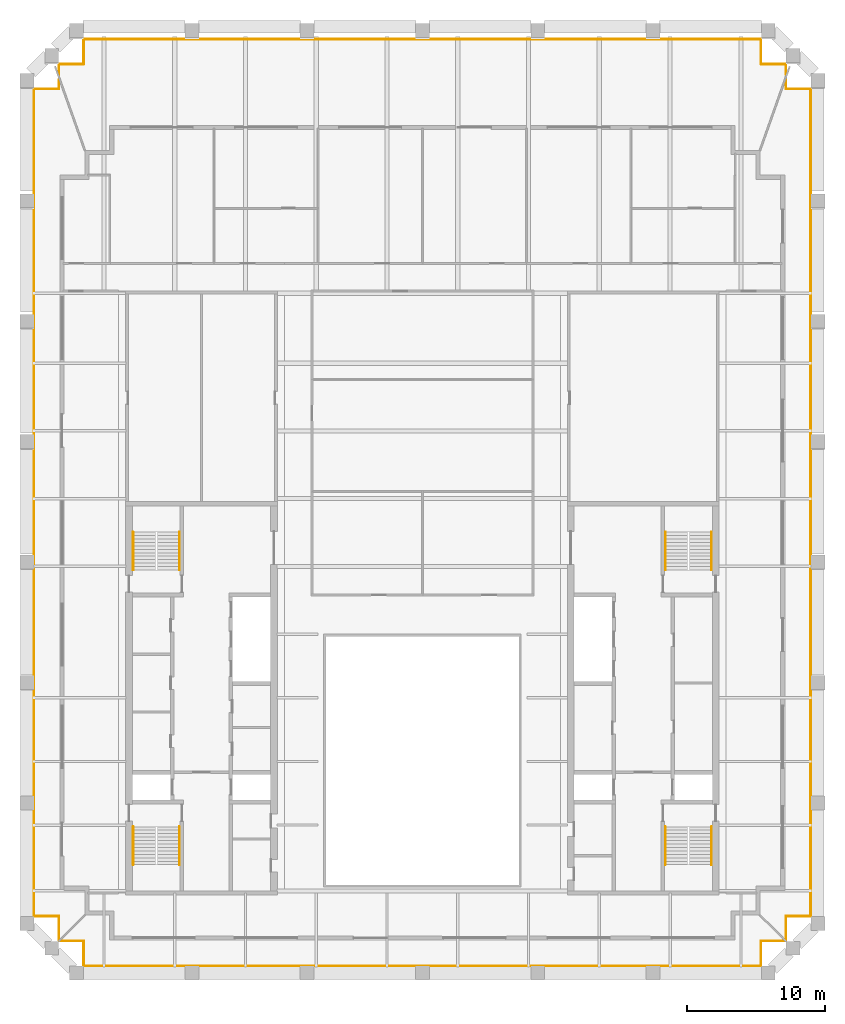
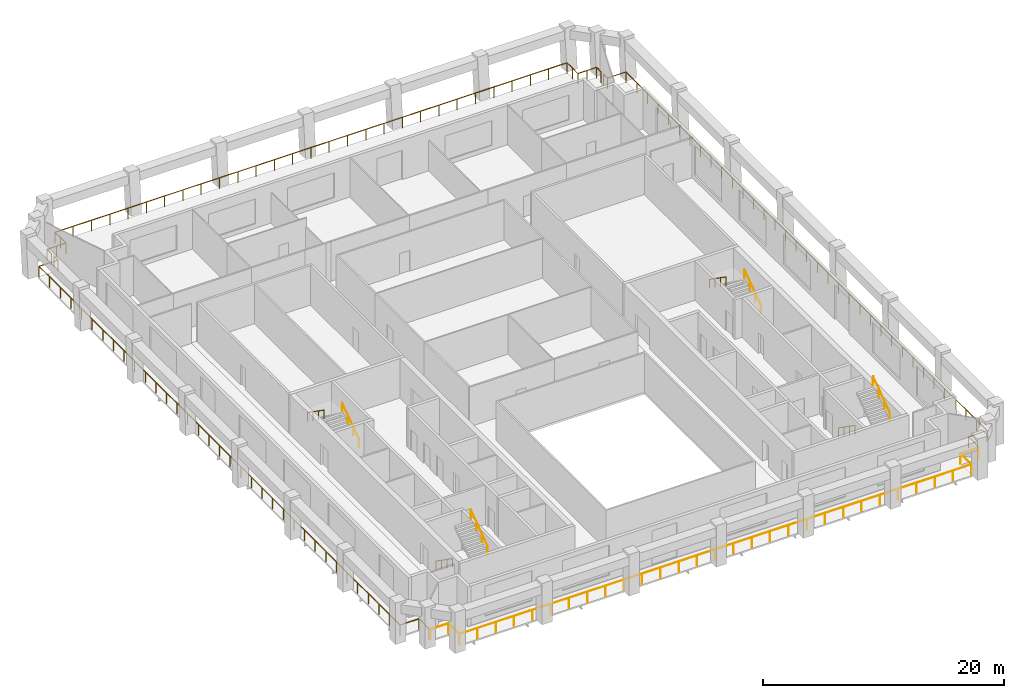
# One storey, part 8 of 8: 12 railings.
"""IFC4 building model written with IfcOpenShell, lengths in metres."""

from ifc_helpers import new_model, si_unit, direction, frame, origin, origin_2d, place, context, subcontext, project, spatial, circle, extrude, material, type_object, element, save


model = new_model("IFC4")

# Units and contexts
model_context = context("Model", 3, precision=1e-05, world=origin(), true_north=direction((0.0, 1.0)))
body_context = subcontext(model_context, "Body", "Model", "MODEL_VIEW")
ifc_project = project(units=[si_unit("LENGTHUNIT", "METRE"), si_unit("AREAUNIT", "SQUARE_METRE"), si_unit("VOLUMEUNIT", "CUBIC_METRE"), si_unit("PLANEANGLEUNIT", "RADIAN"), si_unit("MASSUNIT", "GRAM", prefix="KILO")], contexts=[model_context])

# Site, building, storey
site_placement = place(None, origin())
site = spatial("IfcSite", under=ifc_project, at=site_placement, CompositionType="ELEMENT")
building_placement = place(site_placement, origin())
building = spatial("IfcBuilding", under=site, at=building_placement, Name="Ogive Exchange Tower", CompositionType="ELEMENT")
storey_placement = place(building_placement, frame((0.0, 0.0, 351.0)))
storey = spatial("IfcBuildingStorey", under=building, at=storey_placement, Name="L77", CompositionType="ELEMENT", Elevation=351.0)

# Railings
ifc_material_1 = material(Name="Stainless steel 316", Category="steel")
railing_type_1 = type_object("IfcRailingType", Name="Guard 1100 stainless steel and glass", PredefinedType="GUARDRAIL", material=ifc_material_1)
railing_1_placement = place(storey_placement, frame((26.238037109375, -6.080078125, -0.050048828125)))
element("IfcRailing", 1, at=railing_1_placement, inside=storey, type_object=railing_type_1, Name="Loggia guard 1", PredefinedType="GUARDRAIL", context=body_context, shape_type="SweptSolid", body=[
    extrude(circle(Radius=0.02392578125, at=origin_2d()), frame((0.0, 0.0, 1.076171875), z_axis=(-1.0, 0.0, 0.0), x_axis=(0.0, -1.0, 0.0)), (0.0, 0.0, 1.0), 1.7080078125),
    extrude(circle(Radius=0.02392578125, at=origin_2d()), frame((-1.7080078125, 0.0, 1.076171875), z_axis=(0.0, -1.0, 0.0), x_axis=(1.0, 0.0, 0.0)), (0.0, 0.0, 1.0), 1.7998046875),
    extrude(circle(Radius=0.02392578125, at=origin_2d()), frame((-1.7080078125, -1.7998046875, 1.076171875), z_axis=(-1.0, 0.0, 0.0), x_axis=(0.0, -1.0, 0.0)), (0.0, 0.0, 1.0), 49.06005859375),
    extrude(circle(Radius=0.02392578125, at=origin_2d()), frame((-50.76806640625, -1.7998046875, 1.076171875), z_axis=(0.0, 1.0, 0.0), x_axis=(-1.0, 0.0, 0.0)), (0.0, 0.0, 1.0), 1.7998046875),
    extrude(circle(Radius=0.02392578125, at=origin_2d()), frame((-50.76806640625, 0.0, 1.076171875), z_axis=(-1.0, 0.0, 0.0), x_axis=(0.0, -1.0, 0.0)), (0.0, 0.0, 1.0), 1.7080078125),
    extrude(circle(Radius=0.02099609375, at=origin_2d()), origin(), (0.0, 0.0, 1.0), 1.052001953125),
    extrude(circle(Radius=0.02099609375, at=origin_2d()), frame((-1.7080078125, 0.0, 0.0)), (0.0, 0.0, 1.0), 1.052001953125),
    extrude(circle(Radius=0.02099609375, at=origin_2d()), frame((-1.7080078125, -1.7998046875, 0.0)), (0.0, 0.0, 1.0), 1.052001953125),
    extrude(circle(Radius=0.02099609375, at=origin_2d()), frame((-3.460205078125, -1.7998046875, 0.0)), (0.0, 0.0, 1.0), 1.052001953125),
    extrude(circle(Radius=0.02099609375, at=origin_2d()), frame((-5.21240234375, -1.7998046875, 0.0)), (0.0, 0.0, 1.0), 1.052001953125),
    extrude(circle(Radius=0.02099609375, at=origin_2d()), frame((-6.96435546875, -1.7998046875, 0.0)), (0.0, 0.0, 1.0), 1.052001953125),
    extrude(circle(Radius=0.02099609375, at=origin_2d()), frame((-8.716552734375, -1.7998046875, 0.0)), (0.0, 0.0, 1.0), 1.052001953125),
    extrude(circle(Radius=0.02099609375, at=origin_2d()), frame((-10.46875, -1.7998046875, 0.0)), (0.0, 0.0, 1.0), 1.052001953125),
    extrude(circle(Radius=0.02099609375, at=origin_2d()), frame((-12.220947265625, -1.7998046875, 0.0)), (0.0, 0.0, 1.0), 1.052001953125),
    extrude(circle(Radius=0.02099609375, at=origin_2d()), frame((-13.97314453125, -1.7998046875, 0.0)), (0.0, 0.0, 1.0), 1.052001953125),
    extrude(circle(Radius=0.02099609375, at=origin_2d()), frame((-15.72509765625, -1.7998046875, 0.0)), (0.0, 0.0, 1.0), 1.052001953125),
    extrude(circle(Radius=0.02099609375, at=origin_2d()), frame((-17.477294921875, -1.7998046875, 0.0)), (0.0, 0.0, 1.0), 1.052001953125),
    extrude(circle(Radius=0.02099609375, at=origin_2d()), frame((-19.2294921875, -1.7998046875, 0.0)), (0.0, 0.0, 1.0), 1.052001953125),
    extrude(circle(Radius=0.02099609375, at=origin_2d()), frame((-20.981689453125, -1.7998046875, 0.0)), (0.0, 0.0, 1.0), 1.052001953125),
    extrude(circle(Radius=0.02099609375, at=origin_2d()), frame((-22.733642578125, -1.7998046875, 0.0)), (0.0, 0.0, 1.0), 1.052001953125),
    extrude(circle(Radius=0.02099609375, at=origin_2d()), frame((-24.48583984375, -1.7998046875, 0.0)), (0.0, 0.0, 1.0), 1.052001953125),
    extrude(circle(Radius=0.02099609375, at=origin_2d()), frame((-26.238037109375, -1.7998046875, 0.0)), (0.0, 0.0, 1.0), 1.052001953125),
    extrude(circle(Radius=0.02099609375, at=origin_2d()), frame((-27.990234375, -1.7998046875, 0.0)), (0.0, 0.0, 1.0), 1.052001953125),
    extrude(circle(Radius=0.02099609375, at=origin_2d()), frame((-29.742431640625, -1.7998046875, 0.0)), (0.0, 0.0, 1.0), 1.052001953125),
    extrude(circle(Radius=0.02099609375, at=origin_2d()), frame((-31.494384765625, -1.7998046875, 0.0)), (0.0, 0.0, 1.0), 1.052001953125),
    extrude(circle(Radius=0.02099609375, at=origin_2d()), frame((-33.24658203125, -1.7998046875, 0.0)), (0.0, 0.0, 1.0), 1.052001953125),
    extrude(circle(Radius=0.02099609375, at=origin_2d()), frame((-34.998779296875, -1.7998046875, 0.0)), (0.0, 0.0, 1.0), 1.052001953125),
    extrude(circle(Radius=0.02099609375, at=origin_2d()), frame((-36.7509765625, -1.7998046875, 0.0)), (0.0, 0.0, 1.0), 1.052001953125),
    extrude(circle(Radius=0.02099609375, at=origin_2d()), frame((-38.5029296875, -1.7998046875, 0.0)), (0.0, 0.0, 1.0), 1.052001953125),
    extrude(circle(Radius=0.02099609375, at=origin_2d()), frame((-40.255126953125, -1.7998046875, 0.0)), (0.0, 0.0, 1.0), 1.052001953125),
    extrude(circle(Radius=0.02099609375, at=origin_2d()), frame((-42.00732421875, -1.7998046875, 0.0)), (0.0, 0.0, 1.0), 1.052001953125),
    extrude(circle(Radius=0.02099609375, at=origin_2d()), frame((-43.759521484375, -1.7998046875, 0.0)), (0.0, 0.0, 1.0), 1.052001953125),
    extrude(circle(Radius=0.02099609375, at=origin_2d()), frame((-45.51171875, -1.7998046875, 0.0)), (0.0, 0.0, 1.0), 1.052001953125),
    extrude(circle(Radius=0.02099609375, at=origin_2d()), frame((-47.263671875, -1.7998046875, 0.0)), (0.0, 0.0, 1.0), 1.052001953125),
    extrude(circle(Radius=0.02099609375, at=origin_2d()), frame((-49.015869140625, -1.7998046875, 0.0)), (0.0, 0.0, 1.0), 1.052001953125),
    extrude(circle(Radius=0.02099609375, at=origin_2d()), frame((-50.76806640625, -1.7998046875, 0.0)), (0.0, 0.0, 1.0), 1.052001953125),
    extrude(circle(Radius=0.02099609375, at=origin_2d()), frame((-50.76806640625, 0.0, 0.0)), (0.0, 0.0, 1.0), 1.052001953125),
    extrude(circle(Radius=0.02099609375, at=origin_2d()), frame((-52.47607421875, 0.0, 0.0)), (0.0, 0.0, 1.0), 1.052001953125),
])
railing_2_placement = place(storey_placement, frame((-26.330078125, -5.988037109375, -0.050048828125)))
element("IfcRailing", 2, at=railing_2_placement, inside=storey, type_object=railing_type_1, Name="Loggia guard 2", PredefinedType="GUARDRAIL", context=body_context, shape_type="SweptSolid", body=[
    extrude(circle(Radius=0.02392578125, at=origin_2d()), frame((0.0, 0.0, 1.076171875), z_axis=(0.0, 1.0, 0.0), x_axis=(-1.0, 0.0, 0.0)), (0.0, 0.0, 1.0), 1.7080078125),
    extrude(circle(Radius=0.02392578125, at=origin_2d()), frame((0.0, 1.7080078125, 1.076171875), z_axis=(-1.0, 0.0, 0.0), x_axis=(0.0, -1.0, 0.0)), (0.0, 0.0, 1.0), 1.7998046875),
    extrude(circle(Radius=0.02392578125, at=origin_2d()), frame((-1.7998046875, 1.7080078125, 1.076171875), z_axis=(0.0, 1.0, 0.0), x_axis=(-1.0, 0.0, 0.0)), (0.0, 0.0, 1.0), 59.923583984375),
    extrude(circle(Radius=0.02392578125, at=origin_2d()), frame((-1.7998046875, 61.631591796875, 1.076171875), z_axis=(1.0, 0.0, 0.0), x_axis=(0.0, 1.0, 0.0)), (0.0, 0.0, 1.0), 1.7998046875),
    extrude(circle(Radius=0.02392578125, at=origin_2d()), frame((0.0, 61.631591796875, 1.076171875), z_axis=(0.0, 1.0, 0.0), x_axis=(-1.0, 0.0, 0.0)), (0.0, 0.0, 1.0), 0.66015625),
    extrude(circle(Radius=0.02099609375, at=origin_2d()), origin(), (0.0, 0.0, 1.0), 1.052001953125),
    extrude(circle(Radius=0.02099609375, at=origin_2d()), frame((0.0, 1.7080078125, 0.0)), (0.0, 0.0, 1.0), 1.052001953125),
    extrude(circle(Radius=0.02099609375, at=origin_2d()), frame((-1.7998046875, 1.7080078125, 0.0)), (0.0, 0.0, 1.0), 1.052001953125),
    extrude(circle(Radius=0.02099609375, at=origin_2d()), frame((-1.7998046875, 3.470458984375, 0.0)), (0.0, 0.0, 1.0), 1.052001953125),
    extrude(circle(Radius=0.02099609375, at=origin_2d()), frame((-1.7998046875, 5.23291015625, 0.0)), (0.0, 0.0, 1.0), 1.052001953125),
    extrude(circle(Radius=0.02099609375, at=origin_2d()), frame((-1.7998046875, 6.995361328125, 0.0)), (0.0, 0.0, 1.0), 1.052001953125),
    extrude(circle(Radius=0.02099609375, at=origin_2d()), frame((-1.7998046875, 8.7578125, 0.0)), (0.0, 0.0, 1.0), 1.052001953125),
    extrude(circle(Radius=0.02099609375, at=origin_2d()), frame((-1.7998046875, 10.520263671875, 0.0)), (0.0, 0.0, 1.0), 1.052001953125),
    extrude(circle(Radius=0.02099609375, at=origin_2d()), frame((-1.7998046875, 12.28271484375, 0.0)), (0.0, 0.0, 1.0), 1.052001953125),
    extrude(circle(Radius=0.02099609375, at=origin_2d()), frame((-1.7998046875, 14.045166015625, 0.0)), (0.0, 0.0, 1.0), 1.052001953125),
    extrude(circle(Radius=0.02099609375, at=origin_2d()), frame((-1.7998046875, 15.8076171875, 0.0)), (0.0, 0.0, 1.0), 1.052001953125),
    extrude(circle(Radius=0.02099609375, at=origin_2d()), frame((-1.7998046875, 17.570068359375, 0.0)), (0.0, 0.0, 1.0), 1.052001953125),
    extrude(circle(Radius=0.02099609375, at=origin_2d()), frame((-1.7998046875, 19.33251953125, 0.0)), (0.0, 0.0, 1.0), 1.052001953125),
    extrude(circle(Radius=0.02099609375, at=origin_2d()), frame((-1.7998046875, 21.094970703125, 0.0)), (0.0, 0.0, 1.0), 1.052001953125),
    extrude(circle(Radius=0.02099609375, at=origin_2d()), frame((-1.7998046875, 22.857421875, 0.0)), (0.0, 0.0, 1.0), 1.052001953125),
    extrude(circle(Radius=0.02099609375, at=origin_2d()), frame((-1.7998046875, 24.619873046875, 0.0)), (0.0, 0.0, 1.0), 1.052001953125),
    extrude(circle(Radius=0.02099609375, at=origin_2d()), frame((-1.7998046875, 26.38232421875, 0.0)), (0.0, 0.0, 1.0), 1.052001953125),
    extrude(circle(Radius=0.02099609375, at=origin_2d()), frame((-1.7998046875, 28.144775390625, 0.0)), (0.0, 0.0, 1.0), 1.052001953125),
    extrude(circle(Radius=0.02099609375, at=origin_2d()), frame((-1.7998046875, 29.9072265625, 0.0)), (0.0, 0.0, 1.0), 1.052001953125),
    extrude(circle(Radius=0.02099609375, at=origin_2d()), frame((-1.7998046875, 31.669921875, 0.0)), (0.0, 0.0, 1.0), 1.052001953125),
    extrude(circle(Radius=0.02099609375, at=origin_2d()), frame((-1.7998046875, 33.432373046875, 0.0)), (0.0, 0.0, 1.0), 1.052001953125),
    extrude(circle(Radius=0.02099609375, at=origin_2d()), frame((-1.7998046875, 35.19482421875, 0.0)), (0.0, 0.0, 1.0), 1.052001953125),
    extrude(circle(Radius=0.02099609375, at=origin_2d()), frame((-1.7998046875, 36.957275390625, 0.0)), (0.0, 0.0, 1.0), 1.052001953125),
    extrude(circle(Radius=0.02099609375, at=origin_2d()), frame((-1.7998046875, 38.7197265625, 0.0)), (0.0, 0.0, 1.0), 1.052001953125),
    extrude(circle(Radius=0.02099609375, at=origin_2d()), frame((-1.7998046875, 40.482177734375, 0.0)), (0.0, 0.0, 1.0), 1.052001953125),
    extrude(circle(Radius=0.02099609375, at=origin_2d()), frame((-1.7998046875, 42.24462890625, 0.0)), (0.0, 0.0, 1.0), 1.052001953125),
    extrude(circle(Radius=0.02099609375, at=origin_2d()), frame((-1.7998046875, 44.007080078125, 0.0)), (0.0, 0.0, 1.0), 1.052001953125),
    extrude(circle(Radius=0.02099609375, at=origin_2d()), frame((-1.7998046875, 45.76953125, 0.0)), (0.0, 0.0, 1.0), 1.052001953125),
    extrude(circle(Radius=0.02099609375, at=origin_2d()), frame((-1.7998046875, 47.531982421875, 0.0)), (0.0, 0.0, 1.0), 1.052001953125),
    extrude(circle(Radius=0.02099609375, at=origin_2d()), frame((-1.7998046875, 49.29443359375, 0.0)), (0.0, 0.0, 1.0), 1.052001953125),
    extrude(circle(Radius=0.02099609375, at=origin_2d()), frame((-1.7998046875, 51.056884765625, 0.0)), (0.0, 0.0, 1.0), 1.052001953125),
    extrude(circle(Radius=0.02099609375, at=origin_2d()), frame((-1.7998046875, 52.8193359375, 0.0)), (0.0, 0.0, 1.0), 1.052001953125),
    extrude(circle(Radius=0.02099609375, at=origin_2d()), frame((-1.7998046875, 54.581787109375, 0.0)), (0.0, 0.0, 1.0), 1.052001953125),
    extrude(circle(Radius=0.02099609375, at=origin_2d()), frame((-1.7998046875, 56.34423828125, 0.0)), (0.0, 0.0, 1.0), 1.052001953125),
    extrude(circle(Radius=0.02099609375, at=origin_2d()), frame((-1.7998046875, 58.106689453125, 0.0)), (0.0, 0.0, 1.0), 1.052001953125),
    extrude(circle(Radius=0.02099609375, at=origin_2d()), frame((-1.7998046875, 59.869140625, 0.0)), (0.0, 0.0, 1.0), 1.052001953125),
    extrude(circle(Radius=0.02099609375, at=origin_2d()), frame((-1.7998046875, 61.631591796875, 0.0)), (0.0, 0.0, 1.0), 1.052001953125),
    extrude(circle(Radius=0.02099609375, at=origin_2d()), frame((0.0, 61.631591796875, 0.0)), (0.0, 0.0, 1.0), 1.052001953125),
    extrude(circle(Radius=0.02099609375, at=origin_2d()), frame((0.0, 62.291748046875, 0.0)), (0.0, 0.0, 1.0), 1.052001953125),
])
railing_3_placement = place(storey_placement, frame((-26.330078125, 56.692626953125, -0.050048828125)))
element("IfcRailing", 3, at=railing_3_placement, inside=storey, type_object=railing_type_1, Name="Loggia guard 3", PredefinedType="GUARDRAIL", context=body_context, shape_type="SweptSolid", body=[
    extrude(circle(Radius=0.02392578125, at=origin_2d()), frame((0.0, 0.0, 1.076171875), z_axis=(0.0, 1.0, 0.0), x_axis=(-1.0, 0.0, 0.0)), (0.0, 0.0, 1.0), 0.7509765625),
    extrude(circle(Radius=0.02392578125, at=origin_2d()), frame((0.0, 0.7509765625, 1.076171875), z_axis=(1.0, 0.0, 0.0), x_axis=(0.0, 1.0, 0.0)), (0.0, 0.0, 1.0), 1.800048828125),
    extrude(circle(Radius=0.02392578125, at=origin_2d()), frame((1.800048828125, 0.7509765625, 1.076171875), z_axis=(0.0, 1.0, 0.0), x_axis=(-1.0, 0.0, 0.0)), (0.0, 0.0, 1.0), 1.800048828125),
    extrude(circle(Radius=0.02392578125, at=origin_2d()), frame((1.800048828125, 2.551025390625, 1.076171875), z_axis=(1.0, 0.0, 0.0), x_axis=(0.0, 1.0, 0.0)), (0.0, 0.0, 1.0), 49.06005859375),
    extrude(circle(Radius=0.02392578125, at=origin_2d()), frame((50.860107421875, 2.551025390625, 1.076171875), z_axis=(0.0, -1.0, 0.0), x_axis=(1.0, 0.0, 0.0)), (0.0, 0.0, 1.0), 1.800048828125),
    extrude(circle(Radius=0.02392578125, at=origin_2d()), frame((50.860107421875, 0.7509765625, 1.076171875), z_axis=(1.0, 0.0, 0.0), x_axis=(0.0, 1.0, 0.0)), (0.0, 0.0, 1.0), 1.800048828125),
    extrude(circle(Radius=0.02392578125, at=origin_2d()), frame((52.66015625, 0.7509765625, 1.076171875), z_axis=(0.0, -1.0, 0.0), x_axis=(1.0, 0.0, 0.0)), (0.0, 0.0, 1.0), 0.7509765625),
    extrude(circle(Radius=0.02099609375, at=origin_2d()), origin(), (0.0, 0.0, 1.0), 1.052001953125),
    extrude(circle(Radius=0.02099609375, at=origin_2d()), frame((0.0, 0.7509765625, 0.0)), (0.0, 0.0, 1.0), 1.052001953125),
    extrude(circle(Radius=0.02099609375, at=origin_2d()), frame((0.89990234375, 0.7509765625, 0.0)), (0.0, 0.0, 1.0), 1.052001953125),
    extrude(circle(Radius=0.02099609375, at=origin_2d()), frame((1.800048828125, 0.7509765625, 0.0)), (0.0, 0.0, 1.0), 1.052001953125),
    extrude(circle(Radius=0.02099609375, at=origin_2d()), frame((1.800048828125, 1.65087890625, 0.0)), (0.0, 0.0, 1.0), 1.052001953125),
    extrude(circle(Radius=0.02099609375, at=origin_2d()), frame((1.800048828125, 2.551025390625, 0.0)), (0.0, 0.0, 1.0), 1.052001953125),
    extrude(circle(Radius=0.02099609375, at=origin_2d()), frame((3.55224609375, 2.551025390625, 0.0)), (0.0, 0.0, 1.0), 1.052001953125),
    extrude(circle(Radius=0.02099609375, at=origin_2d()), frame((5.304443359375, 2.551025390625, 0.0)), (0.0, 0.0, 1.0), 1.052001953125),
    extrude(circle(Radius=0.02099609375, at=origin_2d()), frame((7.056396484375, 2.551025390625, 0.0)), (0.0, 0.0, 1.0), 1.052001953125),
    extrude(circle(Radius=0.02099609375, at=origin_2d()), frame((8.80859375, 2.551025390625, 0.0)), (0.0, 0.0, 1.0), 1.052001953125),
    extrude(circle(Radius=0.02099609375, at=origin_2d()), frame((10.560791015625, 2.551025390625, 0.0)), (0.0, 0.0, 1.0), 1.052001953125),
    extrude(circle(Radius=0.02099609375, at=origin_2d()), frame((12.31298828125, 2.551025390625, 0.0)), (0.0, 0.0, 1.0), 1.052001953125),
    extrude(circle(Radius=0.02099609375, at=origin_2d()), frame((14.06494140625, 2.551025390625, 0.0)), (0.0, 0.0, 1.0), 1.052001953125),
    extrude(circle(Radius=0.02099609375, at=origin_2d()), frame((15.817138671875, 2.551025390625, 0.0)), (0.0, 0.0, 1.0), 1.052001953125),
    extrude(circle(Radius=0.02099609375, at=origin_2d()), frame((17.5693359375, 2.551025390625, 0.0)), (0.0, 0.0, 1.0), 1.052001953125),
    extrude(circle(Radius=0.02099609375, at=origin_2d()), frame((19.321533203125, 2.551025390625, 0.0)), (0.0, 0.0, 1.0), 1.052001953125),
    extrude(circle(Radius=0.02099609375, at=origin_2d()), frame((21.07373046875, 2.551025390625, 0.0)), (0.0, 0.0, 1.0), 1.052001953125),
    extrude(circle(Radius=0.02099609375, at=origin_2d()), frame((22.82568359375, 2.551025390625, 0.0)), (0.0, 0.0, 1.0), 1.052001953125),
    extrude(circle(Radius=0.02099609375, at=origin_2d()), frame((24.577880859375, 2.551025390625, 0.0)), (0.0, 0.0, 1.0), 1.052001953125),
    extrude(circle(Radius=0.02099609375, at=origin_2d()), frame((26.330078125, 2.551025390625, 0.0)), (0.0, 0.0, 1.0), 1.052001953125),
    extrude(circle(Radius=0.02099609375, at=origin_2d()), frame((28.082275390625, 2.551025390625, 0.0)), (0.0, 0.0, 1.0), 1.052001953125),
    extrude(circle(Radius=0.02099609375, at=origin_2d()), frame((29.83447265625, 2.551025390625, 0.0)), (0.0, 0.0, 1.0), 1.052001953125),
    extrude(circle(Radius=0.02099609375, at=origin_2d()), frame((31.58642578125, 2.551025390625, 0.0)), (0.0, 0.0, 1.0), 1.052001953125),
    extrude(circle(Radius=0.02099609375, at=origin_2d()), frame((33.338623046875, 2.551025390625, 0.0)), (0.0, 0.0, 1.0), 1.052001953125),
    extrude(circle(Radius=0.02099609375, at=origin_2d()), frame((35.0908203125, 2.551025390625, 0.0)), (0.0, 0.0, 1.0), 1.052001953125),
    extrude(circle(Radius=0.02099609375, at=origin_2d()), frame((36.843017578125, 2.551025390625, 0.0)), (0.0, 0.0, 1.0), 1.052001953125),
    extrude(circle(Radius=0.02099609375, at=origin_2d()), frame((38.59521484375, 2.551025390625, 0.0)), (0.0, 0.0, 1.0), 1.052001953125),
    extrude(circle(Radius=0.02099609375, at=origin_2d()), frame((40.34716796875, 2.551025390625, 0.0)), (0.0, 0.0, 1.0), 1.052001953125),
    extrude(circle(Radius=0.02099609375, at=origin_2d()), frame((42.099365234375, 2.551025390625, 0.0)), (0.0, 0.0, 1.0), 1.052001953125),
    extrude(circle(Radius=0.02099609375, at=origin_2d()), frame((43.8515625, 2.551025390625, 0.0)), (0.0, 0.0, 1.0), 1.052001953125),
    extrude(circle(Radius=0.02099609375, at=origin_2d()), frame((45.603759765625, 2.551025390625, 0.0)), (0.0, 0.0, 1.0), 1.052001953125),
    extrude(circle(Radius=0.02099609375, at=origin_2d()), frame((47.355712890625, 2.551025390625, 0.0)), (0.0, 0.0, 1.0), 1.052001953125),
    extrude(circle(Radius=0.02099609375, at=origin_2d()), frame((49.10791015625, 2.551025390625, 0.0)), (0.0, 0.0, 1.0), 1.052001953125),
    extrude(circle(Radius=0.02099609375, at=origin_2d()), frame((50.860107421875, 2.551025390625, 0.0)), (0.0, 0.0, 1.0), 1.052001953125),
    extrude(circle(Radius=0.02099609375, at=origin_2d()), frame((50.860107421875, 1.65087890625, 0.0)), (0.0, 0.0, 1.0), 1.052001953125),
    extrude(circle(Radius=0.02099609375, at=origin_2d()), frame((50.860107421875, 0.7509765625, 0.0)), (0.0, 0.0, 1.0), 1.052001953125),
    extrude(circle(Radius=0.02099609375, at=origin_2d()), frame((51.76025390625, 0.7509765625, 0.0)), (0.0, 0.0, 1.0), 1.052001953125),
    extrude(circle(Radius=0.02099609375, at=origin_2d()), frame((52.66015625, 0.7509765625, 0.0)), (0.0, 0.0, 1.0), 1.052001953125),
    extrude(circle(Radius=0.02099609375, at=origin_2d()), frame((52.66015625, 0.0, 0.0)), (0.0, 0.0, 1.0), 1.052001953125),
])
railing_4_placement = place(storey_placement, frame((26.330078125, 56.3037109375, -0.050048828125)))
element("IfcRailing", 4, at=railing_4_placement, inside=storey, type_object=railing_type_1, Name="Loggia guard 4", PredefinedType="GUARDRAIL", context=body_context, shape_type="SweptSolid", body=[
    extrude(circle(Radius=0.02392578125, at=origin_2d()), frame((0.0, 0.0, 1.076171875), z_axis=(0.0, -1.0, 0.0), x_axis=(1.0, 0.0, 0.0)), (0.0, 0.0, 1.0), 0.66015625),
    extrude(circle(Radius=0.02392578125, at=origin_2d()), frame((0.0, -0.66015625, 1.076171875), z_axis=(1.0, 0.0, 0.0), x_axis=(0.0, 1.0, 0.0)), (0.0, 0.0, 1.0), 1.7998046875),
    extrude(circle(Radius=0.02392578125, at=origin_2d()), frame((1.7998046875, -0.66015625, 1.076171875), z_axis=(0.0, -1.0, 0.0), x_axis=(1.0, 0.0, 0.0)), (0.0, 0.0, 1.0), 59.923583984375),
    extrude(circle(Radius=0.02392578125, at=origin_2d()), frame((1.7998046875, -60.583740234375, 1.076171875), z_axis=(-1.0, 0.0, 0.0), x_axis=(0.0, -1.0, 0.0)), (0.0, 0.0, 1.0), 1.7998046875),
    extrude(circle(Radius=0.02392578125, at=origin_2d()), frame((0.0, -60.583740234375, 1.076171875), z_axis=(0.0, -1.0, 0.0), x_axis=(1.0, 0.0, 0.0)), (0.0, 0.0, 1.0), 1.7080078125),
    extrude(circle(Radius=0.02099609375, at=origin_2d()), origin(), (0.0, 0.0, 1.0), 1.052001953125),
    extrude(circle(Radius=0.02099609375, at=origin_2d()), frame((0.0, -0.66015625, 0.0)), (0.0, 0.0, 1.0), 1.052001953125),
    extrude(circle(Radius=0.02099609375, at=origin_2d()), frame((1.7998046875, -0.66015625, 0.0)), (0.0, 0.0, 1.0), 1.052001953125),
    extrude(circle(Radius=0.02099609375, at=origin_2d()), frame((1.7998046875, -2.422607421875, 0.0)), (0.0, 0.0, 1.0), 1.052001953125),
    extrude(circle(Radius=0.02099609375, at=origin_2d()), frame((1.7998046875, -4.18505859375, 0.0)), (0.0, 0.0, 1.0), 1.052001953125),
    extrude(circle(Radius=0.02099609375, at=origin_2d()), frame((1.7998046875, -5.947509765625, 0.0)), (0.0, 0.0, 1.0), 1.052001953125),
    extrude(circle(Radius=0.02099609375, at=origin_2d()), frame((1.7998046875, -7.7099609375, 0.0)), (0.0, 0.0, 1.0), 1.052001953125),
    extrude(circle(Radius=0.02099609375, at=origin_2d()), frame((1.7998046875, -9.472412109375, 0.0)), (0.0, 0.0, 1.0), 1.052001953125),
    extrude(circle(Radius=0.02099609375, at=origin_2d()), frame((1.7998046875, -11.23486328125, 0.0)), (0.0, 0.0, 1.0), 1.052001953125),
    extrude(circle(Radius=0.02099609375, at=origin_2d()), frame((1.7998046875, -12.997314453125, 0.0)), (0.0, 0.0, 1.0), 1.052001953125),
    extrude(circle(Radius=0.02099609375, at=origin_2d()), frame((1.7998046875, -14.759765625, 0.0)), (0.0, 0.0, 1.0), 1.052001953125),
    extrude(circle(Radius=0.02099609375, at=origin_2d()), frame((1.7998046875, -16.522216796875, 0.0)), (0.0, 0.0, 1.0), 1.052001953125),
    extrude(circle(Radius=0.02099609375, at=origin_2d()), frame((1.7998046875, -18.28466796875, 0.0)), (0.0, 0.0, 1.0), 1.052001953125),
    extrude(circle(Radius=0.02099609375, at=origin_2d()), frame((1.7998046875, -20.047119140625, 0.0)), (0.0, 0.0, 1.0), 1.052001953125),
    extrude(circle(Radius=0.02099609375, at=origin_2d()), frame((1.7998046875, -21.8095703125, 0.0)), (0.0, 0.0, 1.0), 1.052001953125),
    extrude(circle(Radius=0.02099609375, at=origin_2d()), frame((1.7998046875, -23.572021484375, 0.0)), (0.0, 0.0, 1.0), 1.052001953125),
    extrude(circle(Radius=0.02099609375, at=origin_2d()), frame((1.7998046875, -25.33447265625, 0.0)), (0.0, 0.0, 1.0), 1.052001953125),
    extrude(circle(Radius=0.02099609375, at=origin_2d()), frame((1.7998046875, -27.096923828125, 0.0)), (0.0, 0.0, 1.0), 1.052001953125),
    extrude(circle(Radius=0.02099609375, at=origin_2d()), frame((1.7998046875, -28.859375, 0.0)), (0.0, 0.0, 1.0), 1.052001953125),
    extrude(circle(Radius=0.02099609375, at=origin_2d()), frame((1.7998046875, -30.6220703125, 0.0)), (0.0, 0.0, 1.0), 1.052001953125),
    extrude(circle(Radius=0.02099609375, at=origin_2d()), frame((1.7998046875, -32.384521484375, 0.0)), (0.0, 0.0, 1.0), 1.052001953125),
    extrude(circle(Radius=0.02099609375, at=origin_2d()), frame((1.7998046875, -34.14697265625, 0.0)), (0.0, 0.0, 1.0), 1.052001953125),
    extrude(circle(Radius=0.02099609375, at=origin_2d()), frame((1.7998046875, -35.909423828125, 0.0)), (0.0, 0.0, 1.0), 1.052001953125),
    extrude(circle(Radius=0.02099609375, at=origin_2d()), frame((1.7998046875, -37.671875, 0.0)), (0.0, 0.0, 1.0), 1.052001953125),
    extrude(circle(Radius=0.02099609375, at=origin_2d()), frame((1.7998046875, -39.434326171875, 0.0)), (0.0, 0.0, 1.0), 1.052001953125),
    extrude(circle(Radius=0.02099609375, at=origin_2d()), frame((1.7998046875, -41.19677734375, 0.0)), (0.0, 0.0, 1.0), 1.052001953125),
    extrude(circle(Radius=0.02099609375, at=origin_2d()), frame((1.7998046875, -42.959228515625, 0.0)), (0.0, 0.0, 1.0), 1.052001953125),
    extrude(circle(Radius=0.02099609375, at=origin_2d()), frame((1.7998046875, -44.7216796875, 0.0)), (0.0, 0.0, 1.0), 1.052001953125),
    extrude(circle(Radius=0.02099609375, at=origin_2d()), frame((1.7998046875, -46.484130859375, 0.0)), (0.0, 0.0, 1.0), 1.052001953125),
    extrude(circle(Radius=0.02099609375, at=origin_2d()), frame((1.7998046875, -48.24658203125, 0.0)), (0.0, 0.0, 1.0), 1.052001953125),
    extrude(circle(Radius=0.02099609375, at=origin_2d()), frame((1.7998046875, -50.009033203125, 0.0)), (0.0, 0.0, 1.0), 1.052001953125),
    extrude(circle(Radius=0.02099609375, at=origin_2d()), frame((1.7998046875, -51.771484375, 0.0)), (0.0, 0.0, 1.0), 1.052001953125),
    extrude(circle(Radius=0.02099609375, at=origin_2d()), frame((1.7998046875, -53.533935546875, 0.0)), (0.0, 0.0, 1.0), 1.052001953125),
    extrude(circle(Radius=0.02099609375, at=origin_2d()), frame((1.7998046875, -55.29638671875, 0.0)), (0.0, 0.0, 1.0), 1.052001953125),
    extrude(circle(Radius=0.02099609375, at=origin_2d()), frame((1.7998046875, -57.058837890625, 0.0)), (0.0, 0.0, 1.0), 1.052001953125),
    extrude(circle(Radius=0.02099609375, at=origin_2d()), frame((1.7998046875, -58.8212890625, 0.0)), (0.0, 0.0, 1.0), 1.052001953125),
    extrude(circle(Radius=0.02099609375, at=origin_2d()), frame((1.7998046875, -60.583740234375, 0.0)), (0.0, 0.0, 1.0), 1.052001953125),
    extrude(circle(Radius=0.02099609375, at=origin_2d()), frame((0.0, -60.583740234375, 0.0)), (0.0, 0.0, 1.0), 1.052001953125),
    extrude(circle(Radius=0.02099609375, at=origin_2d()), frame((0.0, -62.291748046875, 0.0)), (0.0, 0.0, 1.0), 1.052001953125),
])
ifc_material_2 = material(Name="Stainless steel", Category="steel")
railing_type_2 = type_object("IfcRailingType", Name="Stair handrail 900", PredefinedType="HANDRAIL", material=ifc_material_2)
railing_5_placement = place(storey_placement, frame((-20.949951171875, 2.199951171875, 0.175048828125)))
element("IfcRailing", 5, at=railing_5_placement, inside=storey, type_object=railing_type_2, Name="L77 ST1 stair handrail 1", PredefinedType="HANDRAIL", context=body_context, shape_type="SweptSolid", body=[
    extrude(circle(Radius=0.02392578125, at=origin_2d()), frame((0.0, 0.0, 0.8759765625), z_axis=(0.0, -0.819225086817, 0.573472106672), x_axis=(1.0, 0.0, 0.0)), (0.0, 0.0, 1.0), 3.35693359375),
    extrude(circle(Radius=0.02099609375, at=origin_2d()), origin(), (0.0, 0.0, 1.0), 0.851806640625),
    extrude(circle(Radius=0.02099609375, at=origin_2d()), frame((0.0, -0.916748046875, 0.6416015625)), (0.0, 0.0, 1.0), 0.851806640625),
    extrude(circle(Radius=0.02099609375, at=origin_2d()), frame((0.0, -1.833251953125, 1.283447265625)), (0.0, 0.0, 1.0), 0.851806640625),
    extrude(circle(Radius=0.02099609375, at=origin_2d()), frame((0.0, -2.75, 1.925048828125)), (0.0, 0.0, 1.0), 0.851806640625),
])
for number, where, name in (
    (6, (-17.60009765625, -0.550048828125, 2.27490234375), "L77 ST1 stair handrail 2"),
    (7, (-17.60009765625, 20.800048828125, 0.175048828125), "L77 ST2 stair handrail 1"),
):
    element("IfcRailing", number, at=place(storey_placement, frame(where)), inside=storey, type_object=railing_type_2, Name=name, PredefinedType="HANDRAIL", context=body_context, shape_type="SweptSolid", body=[
        extrude(circle(Radius=0.02392578125, at=origin_2d()), frame((0.0, 0.0, 0.8759765625), z_axis=(0.0, 0.819225086817, 0.573472106672), x_axis=(-1.0, 0.0, 0.0)), (0.0, 0.0, 1.0), 3.35693359375),
        extrude(circle(Radius=0.02099609375, at=origin_2d()), origin(), (0.0, 0.0, 1.0), 0.851806640625),
        extrude(circle(Radius=0.02099609375, at=origin_2d()), frame((0.0, 0.916748046875, 0.6416015625)), (0.0, 0.0, 1.0), 0.851806640625),
        extrude(circle(Radius=0.02099609375, at=origin_2d()), frame((0.0, 1.833251953125, 1.283447265625)), (0.0, 0.0, 1.0), 0.851806640625),
        extrude(circle(Radius=0.02099609375, at=origin_2d()), frame((0.0, 2.75, 1.925048828125)), (0.0, 0.0, 1.0), 0.851806640625),
    ])
for number, where, name in (
    (8, (-20.949951171875, 23.550048828125, 2.27490234375), "L77 ST2 stair handrail 2"),
    (9, (17.60009765625, 2.199951171875, 0.175048828125), "L77 ST3 stair handrail 1"),
):
    element("IfcRailing", number, at=place(storey_placement, frame(where)), inside=storey, type_object=railing_type_2, Name=name, PredefinedType="HANDRAIL", context=body_context, shape_type="SweptSolid", body=[
        extrude(circle(Radius=0.02392578125, at=origin_2d()), frame((0.0, 0.0, 0.8759765625), z_axis=(0.0, -0.819225086817, 0.573472106672), x_axis=(1.0, 0.0, 0.0)), (0.0, 0.0, 1.0), 3.35693359375),
        extrude(circle(Radius=0.02099609375, at=origin_2d()), origin(), (0.0, 0.0, 1.0), 0.851806640625),
        extrude(circle(Radius=0.02099609375, at=origin_2d()), frame((0.0, -0.916748046875, 0.6416015625)), (0.0, 0.0, 1.0), 0.851806640625),
        extrude(circle(Radius=0.02099609375, at=origin_2d()), frame((0.0, -1.833251953125, 1.283447265625)), (0.0, 0.0, 1.0), 0.851806640625),
        extrude(circle(Radius=0.02099609375, at=origin_2d()), frame((0.0, -2.75, 1.925048828125)), (0.0, 0.0, 1.0), 0.851806640625),
    ])
for number, where, name in (
    (10, (20.949951171875, -0.550048828125, 2.27490234375), "L77 ST3 stair handrail 2"),
    (11, (20.949951171875, 20.800048828125, 0.175048828125), "L77 ST4 stair handrail 1"),
):
    element("IfcRailing", number, at=place(storey_placement, frame(where)), inside=storey, type_object=railing_type_2, Name=name, PredefinedType="HANDRAIL", context=body_context, shape_type="SweptSolid", body=[
        extrude(circle(Radius=0.02392578125, at=origin_2d()), frame((0.0, 0.0, 0.8759765625), z_axis=(0.0, 0.819225086817, 0.573472106672), x_axis=(-1.0, 0.0, 0.0)), (0.0, 0.0, 1.0), 3.35693359375),
        extrude(circle(Radius=0.02099609375, at=origin_2d()), origin(), (0.0, 0.0, 1.0), 0.851806640625),
        extrude(circle(Radius=0.02099609375, at=origin_2d()), frame((0.0, 0.916748046875, 0.6416015625)), (0.0, 0.0, 1.0), 0.851806640625),
        extrude(circle(Radius=0.02099609375, at=origin_2d()), frame((0.0, 1.833251953125, 1.283447265625)), (0.0, 0.0, 1.0), 0.851806640625),
        extrude(circle(Radius=0.02099609375, at=origin_2d()), frame((0.0, 2.75, 1.925048828125)), (0.0, 0.0, 1.0), 0.851806640625),
    ])
railing_6_placement = place(storey_placement, frame((17.60009765625, 23.550048828125, 2.27490234375)))
element("IfcRailing", 12, at=railing_6_placement, inside=storey, type_object=railing_type_2, Name="L77 ST4 stair handrail 2", PredefinedType="HANDRAIL", context=body_context, shape_type="SweptSolid", body=[
    extrude(circle(Radius=0.02392578125, at=origin_2d()), frame((0.0, 0.0, 0.8759765625), z_axis=(0.0, -0.819225086817, 0.573472106672), x_axis=(1.0, 0.0, 0.0)), (0.0, 0.0, 1.0), 3.35693359375),
    extrude(circle(Radius=0.02099609375, at=origin_2d()), origin(), (0.0, 0.0, 1.0), 0.851806640625),
    extrude(circle(Radius=0.02099609375, at=origin_2d()), frame((0.0, -0.916748046875, 0.6416015625)), (0.0, 0.0, 1.0), 0.851806640625),
    extrude(circle(Radius=0.02099609375, at=origin_2d()), frame((0.0, -1.833251953125, 1.283447265625)), (0.0, 0.0, 1.0), 0.851806640625),
    extrude(circle(Radius=0.02099609375, at=origin_2d()), frame((0.0, -2.75, 1.925048828125)), (0.0, 0.0, 1.0), 0.851806640625),
])

save(model, "model.ifc")
